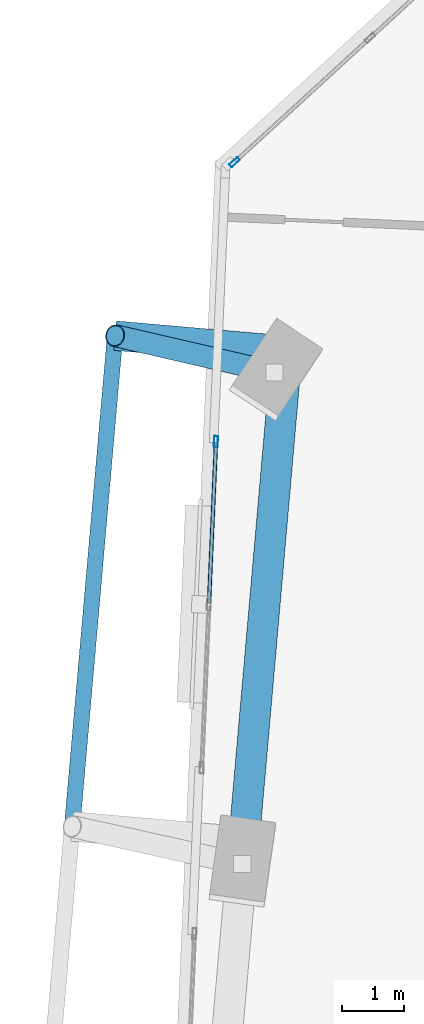
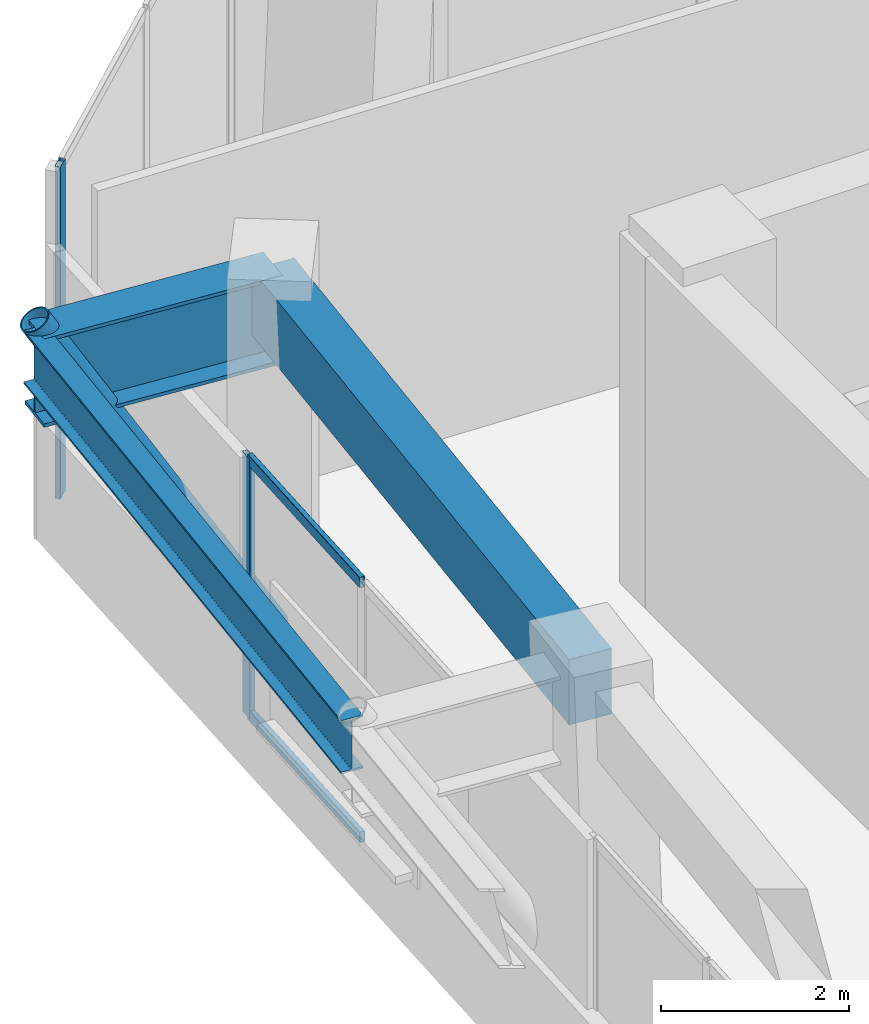
# One storey, part 8 of 26: 5 members, 3 beams, 2 elements without a shape of their own.
"""IFC4 building model written with IfcOpenShell, lengths in metres."""

import ifcopenshell
import ifcopenshell.guid

model = None  # the IFC model being written
_history = None  # IfcOwnerHistory: only IFC2X3 demands one
_inside = {}  # id of a spatial element -> (the spatial element, [elements in it])
_under = {}  # id of a project, library or spatial element -> (it, [spatial elements below it])
_declared = {}  # id of a project -> (the project, [libraries it declares])
_typed = {}  # id of a type object -> (the type object, [elements of that type])
_made_of = {}  # id of a material, layer set ... -> (it, [elements and type objects made of it])


def new_model(schema):
    """Start an empty IFC model of exactly this schema.

    Asked for "IFC4X3", IfcOpenShell would pick the latest addendum, in which some entities
    have other attributes; the version numbers below select the first issue.
    IFC2X3 requires an IfcOwnerHistory on every rooted entity: one is made here for all.
    """
    global model, _history
    if schema == "IFC4X3":
        model = ifcopenshell.file(schema_version=(4, 3, 0, 0))
    else:
        model = ifcopenshell.file(schema=schema)
    _inside.clear()
    _under.clear()
    _declared.clear()
    _typed.clear()
    _made_of.clear()
    _history = None
    if model.schema == "IFC2X3":
        org = make("IfcOrganization", Name="unknown")
        user = make(
            "IfcPersonAndOrganization",
            ThePerson=make("IfcPerson", FamilyName="unknown"),
            TheOrganization=org,
        )
        app = make(
            "IfcApplication",
            ApplicationDeveloper=org,
            Version="unknown",
            ApplicationFullName="unknown",
            ApplicationIdentifier="unknown",
        )
        _history = make(
            "IfcOwnerHistory",
            OwningUser=user,
            OwningApplication=app,
            ChangeAction="ADDED",
            CreationDate=0,
        )
    return model


def make(cls, **values):
    """One entity of the class cls with the attributes given. An attribute that is None is left unset."""
    return model.create_entity(
        cls, **{name: value for name, value in values.items() if value is not None}
    )


def rooted(cls, **values):
    """An entity with a GlobalId (a new one), such as an element, a storey or a relation."""
    return make(cls, GlobalId=ifcopenshell.guid.new(), OwnerHistory=_history, **values)


def si_unit(unit_type, name, prefix=None):
    """IfcSIUnit, for example si_unit("LENGTHUNIT", "METRE", prefix="MILLI")."""
    return make("IfcSIUnit", UnitType=unit_type, Prefix=prefix, Name=name)


def assignment(units):
    """IfcUnitAssignment: the units of a project."""
    return None if units is None else make("IfcUnitAssignment", Units=units)


def point(xyz):
    """IfcCartesianPoint."""
    return None if xyz is None else make("IfcCartesianPoint", Coordinates=xyz)


def direction(xyz):
    """IfcDirection."""
    return None if xyz is None else make("IfcDirection", DirectionRatios=xyz)


def frame(location, z_axis=None, x_axis=None):
    """IfcAxis2Placement3D, a coordinate frame: its origin and axes. An axis left out is left unset."""
    return make(
        "IfcAxis2Placement3D",
        Location=point(location),
        Axis=direction(z_axis),
        RefDirection=direction(x_axis),
    )


def frame_2d(location, x_axis=None):
    """IfcAxis2Placement2D, a coordinate frame in the plane: its origin and x axis."""
    return make(
        "IfcAxis2Placement2D", Location=point(location), RefDirection=direction(x_axis)
    )


def origin():
    """The frame at (0, 0, 0) with its axes left unset."""
    return frame((0.0, 0.0, 0.0))


def origin_2d():
    """The frame at (0, 0) in the plane with its x axis left unset."""
    return frame_2d((0.0, 0.0))


def place(relative_to, where):
    """IfcLocalPlacement: puts the frame where relative to a parent placement (None: the world)."""
    return make(
        "IfcLocalPlacement", PlacementRelTo=relative_to, RelativePlacement=where
    )


def context(
    kind, dimensions, precision=None, world=None, true_north=None, identifier=None
):
    """IfcGeometricRepresentationContext, for example the 3D "Model" context."""
    return make(
        "IfcGeometricRepresentationContext",
        ContextIdentifier=identifier,
        ContextType=kind,
        CoordinateSpaceDimension=dimensions,
        Precision=precision,
        WorldCoordinateSystem=world,
        TrueNorth=true_north,
    )


def subcontext(parent, identifier, kind, view, scale=None):
    """IfcGeometricRepresentationSubContext, for example "Body" below "Model"."""
    return make(
        "IfcGeometricRepresentationSubContext",
        ContextIdentifier=identifier,
        ContextType=kind,
        ParentContext=parent,
        TargetScale=scale,
        TargetView=view,
    )


def project(units=None, contexts=None):
    """IfcProject with its units and contexts."""
    return rooted(
        "IfcProject",
        Name="project",
        RepresentationContexts=contexts,
        UnitsInContext=assignment(units),
    )


def spatial(cls, under=None, at=None, **own):
    """A site, building, storey or space (cls), placed at a placement, below another one or the project."""
    s = rooted(cls, ObjectPlacement=at, **own)
    if under is not None:
        _under.setdefault(under.id(), (under, []))[1].append(s)
    return s


def profile(cls, at=None, kind="AREA", **sizes):
    """A parametric profile (cls). Its sizes go by their IFC names, for example OverallWidth=200.0."""
    return make(cls, ProfileType=kind, Position=at, **sizes)


def rectangle(**sizes):
    """IfcRectangleProfileDef."""
    return profile("IfcRectangleProfileDef", **sizes)


def hollow_rectangle(**sizes):
    """IfcRectangleHollowProfileDef."""
    return profile("IfcRectangleHollowProfileDef", **sizes)


def hollow_circle(**sizes):
    """IfcCircleHollowProfileDef."""
    return profile("IfcCircleHollowProfileDef", **sizes)


def i_section(**sizes):
    """IfcIShapeProfileDef."""
    return profile("IfcIShapeProfileDef", **sizes)


def extrude(swept, where, along, depth):
    """IfcExtrudedAreaSolid: the profile swept, set in the frame where, extruded along a direction by depth."""
    return make(
        "IfcExtrudedAreaSolid",
        SweptArea=swept,
        Position=where,
        ExtrudedDirection=direction(along),
        Depth=depth,
    )


def shape(context_of_items, identifier, shape_type, items):
    """IfcShapeRepresentation: the items that make up one representation, for example the "Body"."""
    return make(
        "IfcShapeRepresentation",
        ContextOfItems=context_of_items,
        RepresentationIdentifier=identifier,
        RepresentationType=shape_type,
        Items=items,
    )


def source(mapping_origin, context_of_items, identifier, shape_type, items):
    """IfcRepresentationMap: a shape defined once, which mapped items show again and again."""
    return make(
        "IfcRepresentationMap",
        MappingOrigin=mapping_origin,
        MappedRepresentation=shape(context_of_items, identifier, shape_type, items),
    )


def transform(
    local_origin,
    x_axis=None,
    y_axis=None,
    z_axis=None,
    scale=None,
    scale2=None,
    scale3=None,
    uniform=True,
):
    """IfcCartesianTransformationOperator3D, or its non-uniform kind. x_axis, y_axis, z_axis: its Axis1, 2, 3."""
    if uniform:
        return make(
            "IfcCartesianTransformationOperator3D",
            Axis1=direction(x_axis),
            Axis2=direction(y_axis),
            LocalOrigin=point(local_origin),
            Scale=scale,
            Axis3=direction(z_axis),
        )
    return make(
        "IfcCartesianTransformationOperator3DnonUniform",
        Axis1=direction(x_axis),
        Axis2=direction(y_axis),
        LocalOrigin=point(local_origin),
        Scale=scale,
        Axis3=direction(z_axis),
        Scale2=scale2,
        Scale3=scale3,
    )


def mapped(mapping_source, mapping_target):
    """IfcMappedItem: shows the shape of a source again, moved by a transform."""
    return make(
        "IfcMappedItem", MappingSource=mapping_source, MappingTarget=mapping_target
    )


def material(Name=None, Category=None):
    """IfcMaterial."""
    return make("IfcMaterial", Name=Name, Category=Category)


def material_profile(
    of_material, cross_section, Name=None, Category=None, Priority=None
):
    """IfcMaterialProfile: a cross section and its material."""
    return make(
        "IfcMaterialProfile",
        Name=Name,
        Material=of_material,
        Profile=cross_section,
        Priority=Priority,
        Category=Category,
    )


def profile_set(profiles, Name=None, composite=None):
    """IfcMaterialProfileSet."""
    return make(
        "IfcMaterialProfileSet",
        Name=Name,
        MaterialProfiles=profiles,
        CompositeProfile=composite,
    )


def made_of(thing, what):
    """Note that an element or type object is made of a material, layer set ...; save() writes the relation."""
    if what is not None:
        _made_of.setdefault(what.id(), (what, []))[1].append(thing)
    return thing


def type_object(cls, material=None, **own):
    """A type object (cls), such as IfcWallType, which elements share."""
    return made_of(rooted(cls, **own), material)


def element(
    cls,
    number,
    at=None,
    inside=None,
    cuts=None,
    type_object=None,
    material=None,
    context=None,
    identifier="Body",
    shape_type=None,
    held_by="IfcProductDefinitionShape",
    body=None,
    shapes=None,
    **own,
):
    """One element of the class cls, such as IfcWall. Its Tag is "e" and its number.

    at: its placement. inside: the storey or other place that contains it. cuts: it is an
    opening in that element (IfcRelVoidsElement). A single representation is given by context,
    identifier, shape_type and body (its items); several are given by shapes. held_by: the class
    of the entity that holds the representations. save() writes the other relations.
    """
    e = rooted(cls, Tag="e%d" % number, ObjectPlacement=at, **own)
    if body is not None:
        shapes = [shape(context, identifier, shape_type, body)]
    if shapes is not None:
        e.Representation = make(held_by, Representations=shapes)
    if inside is not None:
        _inside.setdefault(inside.id(), (inside, []))[1].append(e)
    if cuts is not None:
        rooted(
            "IfcRelVoidsElement", RelatingBuildingElement=cuts, RelatedOpeningElement=e
        )
    if type_object is not None:
        _typed.setdefault(type_object.id(), (type_object, []))[1].append(e)
    return made_of(e, material)


def aggregate(whole, parts):
    """IfcRelAggregates: a whole, such as a stair, and the parts it consists of."""
    return rooted("IfcRelAggregates", RelatingObject=whole, RelatedObjects=parts)


def save(model, path):
    """Write the relations noted so far, then the file.

    IfcRelAggregates (storeys below a building ...), IfcRelContainedInSpatialStructure (elements
    in a storey), IfcRelDefinesByType, IfcRelAssociatesMaterial and IfcRelDeclares: one each for
    every whole, place, type object, material and project.
    """
    for whole, parts in _under.values():
        aggregate(whole, parts)
    for where, things in _inside.values():
        rooted(
            "IfcRelContainedInSpatialStructure",
            RelatedElements=things,
            RelatingStructure=where,
        )
    for kind, things in _typed.values():
        rooted("IfcRelDefinesByType", RelatedObjects=things, RelatingType=kind)
    for what, things in _made_of.values():
        rooted("IfcRelAssociatesMaterial", RelatedObjects=things, RelatingMaterial=what)
    for by, libraries in _declared.values():
        rooted("IfcRelDeclares", RelatingContext=by, RelatedDefinitions=libraries)
    model.write(path)


model = new_model("IFC4")

# Units and contexts
model_context = context("Model", 3, precision=1e-05, world=origin(), true_north=direction((0.0, 1.0)))
body_context = subcontext(model_context, "Body", "Model", "MODEL_VIEW")
ifc_project = project(units=[si_unit("LENGTHUNIT", "METRE"), si_unit("AREAUNIT", "SQUARE_METRE"), si_unit("VOLUMEUNIT", "CUBIC_METRE"), si_unit("PLANEANGLEUNIT", "RADIAN"), si_unit("MASSUNIT", "GRAM", prefix="KILO")], contexts=[model_context])

# Site, building, storey
site_placement = place(None, origin())
site = spatial("IfcSite", under=ifc_project, at=site_placement, CompositionType="ELEMENT")
building_placement = place(site_placement, origin())
building = spatial("IfcBuilding", under=site, at=building_placement, Name="Torre Montelarca", CompositionType="ELEMENT")
storey_placement = place(building_placement, frame((0.0, 0.0, 42.39990234375)))
storey = spatial("IfcBuildingStorey", under=building, at=storey_placement, Name="L09", CompositionType="ELEMENT", Elevation=42.39990234375)

# Member
ifc_material_1 = material(Name="Steel ASTM A500 Grade C", Category="steel")
ifc_material_profile_1 = material_profile(ifc_material_1, hollow_circle(Radius=0.177734375, WallThickness=0.015869140625, at=origin_2d()), Name="HSS355.6X15.9", Category="steel")
ifc_profile_set_1 = profile_set([ifc_material_profile_1], Name="Steel ASTM A500 Grade C")
member_type_1 = type_object("IfcMemberType", Name="MB-BR-CHS356-EXT", PredefinedType="BRACE", material=ifc_profile_set_1)
shared_shape_1 = source(origin(), body_context, "Body", "SweptSolid", [
    extrude(hollow_circle(Radius=0.177734375, WallThickness=0.015869140625, at=origin_2d()), origin(), (0.0, 0.0, 1.0), 5.233642578125),
])
member_1_placement = place(storey_placement, frame((5.209228515625, 41.0849609375, 0.150146484375), z_axis=(-0.494339713671, 0.114103514168, 0.86174743141), x_axis=(-0.224906513917, -0.974380346681, 0.0)))
element("IfcMember", 1, at=member_1_placement, inside=storey, type_object=member_type_1, Name="L10 Sliding Tray Exterior Diagonal Raker Strut W3", PredefinedType="BRACE", context=body_context, shape_type="MappedRepresentation", body=[
    mapped(shared_shape_1, transform((0.0, 0.0, 0.0), scale=1.0)),
])

# Beams
ifc_material_2 = material(Name="Concrete C55/67", Category="concrete")
ifc_material_profile_2 = material_profile(ifc_material_2, rectangle(XDim=0.5, YDim=0.85009765625, at=origin_2d()), Name="RCB500X850", Category="concrete")
ifc_profile_set_2 = profile_set([ifc_material_profile_2], Name="Concrete C55/67")
beam_type_1 = type_object("IfcBeamType", Name="BM-SP-RC850-EXT", PredefinedType="SPANDREL", material=ifc_profile_set_2)
shared_shape_2 = source(origin(), body_context, "Body", "SweptSolid", [
    extrude(rectangle(XDim=0.5, YDim=0.85009765625, at=origin_2d()), origin(), (0.0, 0.0, 1.0), 8.0),
])
beam_1_placement = place(storey_placement, frame((4.714111328125, 33.468505859375, 4.135009765625), z_axis=(0.087159000208, 0.996194413095, 0.0), x_axis=(-0.996194413095, 0.087159000208, 0.0)))
element("IfcBeam", 2, at=beam_1_placement, inside=storey, type_object=beam_type_1, Name="L09 Grid Girder Y 32.0-40.0 at X=4.7", PredefinedType="SPANDREL", context=body_context, shape_type="MappedRepresentation", body=[
    mapped(shared_shape_2, transform((0.0, 0.0, 0.0), scale=1.0)),
])
ifc_material_3 = material(Name="Steel ASTM A992 Grade 50", Category="steel")
ifc_material_profile_3 = material_profile(ifc_material_3, i_section(OverallWidth=0.256103515625, OverallDepth=0.693115234375, WebThickness=0.014404296875, FlangeThickness=0.023681640625, FilletRadius=0.01806640625, at=origin_2d()), Name="W690X170", Category="steel")
ifc_profile_set_3 = profile_set([ifc_material_profile_3], Name="Steel ASTM A992 Grade 50")
beam_type_2 = type_object("IfcBeamType", Name="BM-G-W690-EXT", PredefinedType="BEAM", material=ifc_profile_set_3)
shared_shape_3 = source(origin(), body_context, "Body", "SweptSolid", [
    extrude(i_section(OverallWidth=0.256103515625, OverallDepth=0.693115234375, WebThickness=0.014404296875, FlangeThickness=0.023681640625, FilletRadius=0.01806640625, at=origin_2d()), origin(), (0.0, 0.0, 1.0), 8.0),
])
beam_2_placement = place(storey_placement, frame((1.9248046875, 33.712646484375, 4.213134765625), z_axis=(0.087159000208, 0.996194413095, 0.0), x_axis=(-0.996194413095, 0.087159000208, 0.0)))
element("IfcBeam", 3, at=beam_2_placement, inside=storey, type_object=beam_type_2, Name="L09 Sliding Tray Edge Girder West 32.0-40.0m (FLR)", PredefinedType="BEAM", context=body_context, shape_type="MappedRepresentation", body=[
    mapped(shared_shape_3, transform((0.0, 0.0, 0.0), scale=1.0)),
])
ifc_material_4 = material(Name="Steel ASTM A572 Grade 50", Category="steel")
ifc_material_profile_4 = material_profile(ifc_material_4, i_section(OverallWidth=0.47998046875, OverallDepth=1.14990234375, WebThickness=0.02197265625, FlangeThickness=0.044921875, at=origin_2d()), Name="PG1150X480X22X45", Category="steel")
ifc_profile_set_4 = profile_set([ifc_material_profile_4], Name="Steel ASTM A572 Grade 50")
beam_type_3 = type_object("IfcBeamType", Name="BM-CG-PG1400-EXT", PredefinedType="USERDEFINED", material=ifc_profile_set_4)
shared_shape_4 = source(origin(), body_context, "Body", "SweptSolid", [
    extrude(i_section(OverallWidth=0.47998046875, OverallDepth=1.14990234375, WebThickness=0.02197265625, FlangeThickness=0.044921875, at=origin_2d()), origin(), (0.0, 0.0, 1.0), 2.800048828125),
])
beam_3_placement = place(storey_placement, frame((5.411376953125, 41.43798828125, 3.985107421875), z_axis=(-0.996191351034, 0.087193991338, 0.0), x_axis=(-0.087193991338, -0.996191351034, 0.0)))
element("IfcBeam", 4, at=beam_3_placement, inside=storey, type_object=beam_type_3, Name="L09 Sliding Tray Cantilever Girder West Y=40.0m (FLR)", ObjectType="CANTILEVER GIRDER", PredefinedType="USERDEFINED", context=body_context, shape_type="MappedRepresentation", body=[
    mapped(shared_shape_4, transform((0.0, 0.0, 0.0), scale=1.0)),
])

# Curtain wall, member
ifc_material_5 = material(Name="Insulated low-E laminated glass", Category="glass")
curtain_wall_type = type_object("IfcCurtainWallType", Name="CW-SYS-Z1", PredefinedType="USERDEFINED", material=ifc_material_5)
curtain_wall_1_placement = place(storey_placement, origin())
curtain_wall_1 = element("IfcCurtainWall", 5, at=curtain_wall_1_placement, inside=storey, type_object=curtain_wall_type, Name="L09 Curtain Wall Run CW-T3-L09-E09-B1", ObjectType="UNITISED GLAZING", PredefinedType="USERDEFINED")
ifc_material_6 = material(Name="Anodised aluminium AA 6063-T6", Category="aluminium")
ifc_material_profile_5 = material_profile(ifc_material_6, hollow_rectangle(XDim=0.06494140625, YDim=0.179931640625, WallThickness=0.00390625, InnerFilletRadius=0.00390625, OuterFilletRadius=0.008056640625, at=origin_2d()), Name="ALU65X180X4", Category="aluminium")
ifc_profile_set_5 = profile_set([ifc_material_profile_5], Name="Anodised aluminium AA 6063-T6")
member_type_2 = type_object("IfcMemberType", Name="CWM-ALU180", PredefinedType="MULLION", material=ifc_profile_set_5)
shared_shape_5 = source(origin(), body_context, "Body", "SweptSolid", [
    extrude(hollow_rectangle(XDim=0.06494140625, YDim=0.179931640625, WallThickness=0.00390625, InnerFilletRadius=0.00390625, OuterFilletRadius=0.008056640625, at=origin_2d()), origin(), (0.0, 0.0, 1.0), 4.320068359375),
])
member_2_placement = place(storey_placement, frame((4.561279296875, 44.4990234375, 0.0), z_axis=(0.0, 0.0, 1.0), x_axis=(0.67558349177, -0.737283490692, 0.0)))
member_2 = element("IfcMember", 6, at=member_2_placement, type_object=member_type_2, Name="CW mullion 3", PredefinedType="MULLION", context=body_context, shape_type="MappedRepresentation", body=[
    mapped(shared_shape_5, transform((0.0, 0.0, 0.0), scale=1.0)),
])
aggregate(curtain_wall_1, [member_2])

# Curtain wall, members
curtain_wall_2_placement = place(storey_placement, origin())
curtain_wall_2 = element("IfcCurtainWall", 7, at=curtain_wall_2_placement, inside=storey, type_object=curtain_wall_type, Name="L09 Curtain Wall Run CW-T3-L09-E10-B1", ObjectType="UNITISED GLAZING", PredefinedType="USERDEFINED")
shared_shape_6 = source(origin(), body_context, "Body", "SweptSolid", [
    extrude(hollow_rectangle(XDim=0.06494140625, YDim=0.179931640625, WallThickness=0.00390625, InnerFilletRadius=0.00390625, OuterFilletRadius=0.008056640625, at=origin_2d()), origin(), (0.0, 0.0, 1.0), 3.375),
])
member_3_placement = place(storey_placement, frame((4.260986328125, 39.962646484375, 0.0), z_axis=(0.0, 0.0, 1.0), x_axis=(0.999048766401, -0.043606907162, 0.0)))
member_3 = element("IfcMember", 8, at=member_3_placement, type_object=member_type_2, Name="CW mullion 1", PredefinedType="MULLION", context=body_context, shape_type="MappedRepresentation", body=[
    mapped(shared_shape_6, transform((0.0, 0.0, 0.0), scale=1.0)),
])
ifc_material_profile_6 = material_profile(ifc_material_6, hollow_rectangle(XDim=0.06494140625, YDim=0.139892578125, WallThickness=0.00390625, InnerFilletRadius=0.00390625, OuterFilletRadius=0.008056640625, at=origin_2d()), Name="ALU65X140X4", Category="aluminium")
ifc_profile_set_6 = profile_set([ifc_material_profile_6], Name="Anodised aluminium AA 6063-T6")
member_type_3 = type_object("IfcMemberType", Name="CWT-ALU140", PredefinedType="USERDEFINED", material=ifc_profile_set_6)
shared_shape_7 = source(origin(), body_context, "Body", "SweptSolid", [
    extrude(hollow_rectangle(XDim=0.06494140625, YDim=0.139892578125, WallThickness=0.00390625, InnerFilletRadius=0.00390625, OuterFilletRadius=0.008056640625, at=origin_2d()), origin(), (0.0, 0.0, 1.0), 2.587646484375),
])
member_4_placement = place(storey_placement, frame((4.259521484375, 39.93017578125, 0.03271484375), z_axis=(-0.043588714408, -0.99904956032, 0.0), x_axis=(0.99904956032, -0.043588714408, 0.0)))
member_4 = element("IfcMember", 9, at=member_4_placement, type_object=member_type_3, Name="CW transom 1.1", ObjectType="TRANSOM", PredefinedType="USERDEFINED", context=body_context, shape_type="MappedRepresentation", body=[
    mapped(shared_shape_7, transform((0.0, 0.0, 0.0), scale=1.0)),
])
member_5_placement = place(storey_placement, frame((4.259521484375, 39.93017578125, 3.342529296875), z_axis=(-0.043588714408, -0.99904956032, 0.0), x_axis=(0.99904956032, -0.043588714408, 0.0)))
member_5 = element("IfcMember", 10, at=member_5_placement, type_object=member_type_3, Name="CW transom 1.2", ObjectType="TRANSOM", PredefinedType="USERDEFINED", context=body_context, shape_type="MappedRepresentation", body=[
    mapped(shared_shape_7, transform((0.0, 0.0, 0.0), scale=1.0)),
])
aggregate(curtain_wall_2, [member_3, member_4, member_5])

save(model, "model.ifc")
